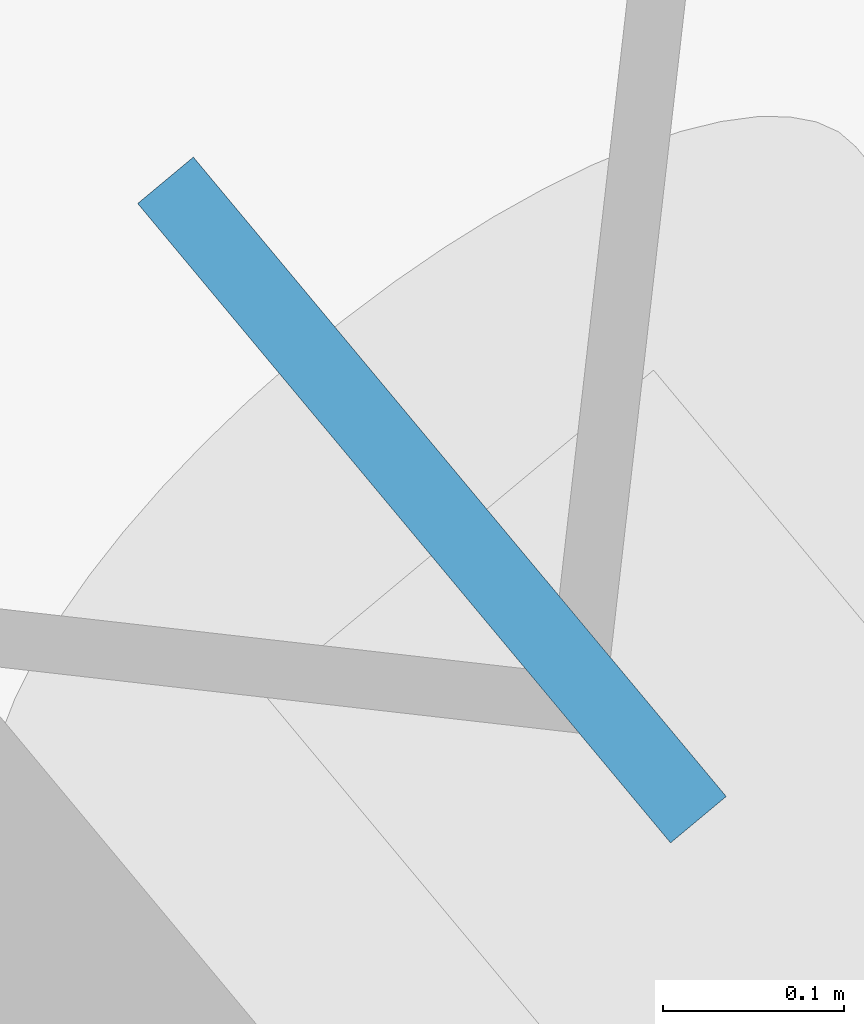
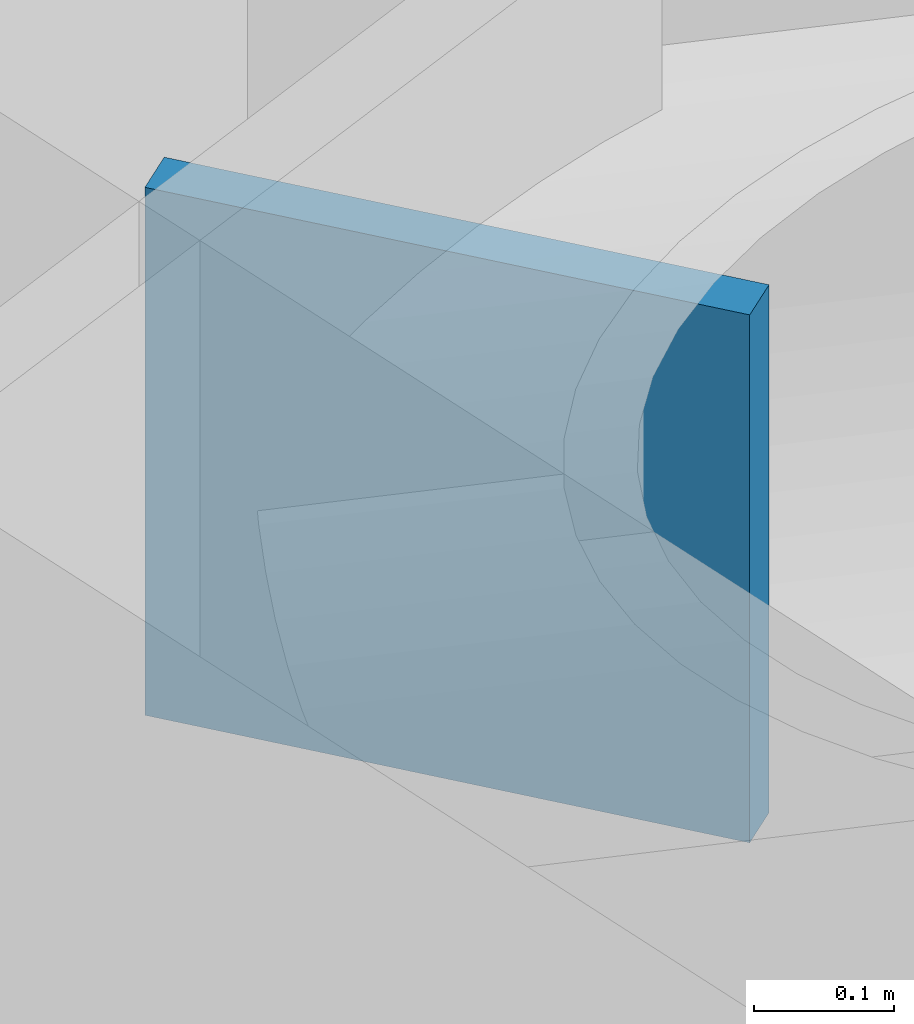
# One storey, part 18 of 19: 1 discrete accessory.
"""IFC4 building model written with IfcOpenShell, lengths in metres."""

from ifc_helpers import new_model, si_unit, direction, frame, origin, origin_2d, place, context, subcontext, project, spatial, rectangle, extrude, material, type_object, element, save


model = new_model("IFC4")

# Units and contexts
model_context = context("Model", 3, precision=1e-05, world=origin(), true_north=direction((0.0, 1.0)))
body_context = subcontext(model_context, "Body", "Model", "MODEL_VIEW")
ifc_project = project(units=[si_unit("LENGTHUNIT", "METRE"), si_unit("AREAUNIT", "SQUARE_METRE"), si_unit("VOLUMEUNIT", "CUBIC_METRE"), si_unit("PLANEANGLEUNIT", "RADIAN"), si_unit("MASSUNIT", "GRAM", prefix="KILO")], contexts=[model_context])

# Site, building, storey
site_placement = place(None, origin())
site = spatial("IfcSite", under=ifc_project, at=site_placement, CompositionType="ELEMENT")
building_placement = place(site_placement, origin())
building = spatial("IfcBuilding", under=site, at=building_placement, Name="Tavrogorsk Clinical Tower", CompositionType="ELEMENT")
storey_placement = place(building_placement, frame((0.0, 0.0, 101.39990234375)))
storey = spatial("IfcBuildingStorey", under=building, at=storey_placement, Name="L22", CompositionType="ELEMENT", Elevation=101.39990234375)

# Discrete accessory
ifc_material = material(Name="Structural steel S440", Category="steel")
discrete_accessory_type = type_object("IfcDiscreteAccessoryType", Name="GussetPlateBracket_25", PredefinedType="BRACKET", material=ifc_material)
discrete_accessory_placement = place(storey_placement, frame((37.2109375, 18.06640625, 0.197021484375), z_axis=(0.0, 0.0, 1.0), x_axis=(0.640243780506, -0.768171791674, 0.0)))
element("IfcDiscreteAccessory", 1, at=discrete_accessory_placement, inside=storey, type_object=discrete_accessory_type, Name="L22 Brace Gusset Plate EXOCRN-L22-2-A", PredefinedType="BRACKET", context=body_context, shape_type="SweptSolid", body=[
    extrude(rectangle(XDim=0.4599609375, YDim=0.0400390625, at=origin_2d()), origin(), (0.0, 0.0, 1.0), 0.4599609375),
])

save(model, "model.ifc")
